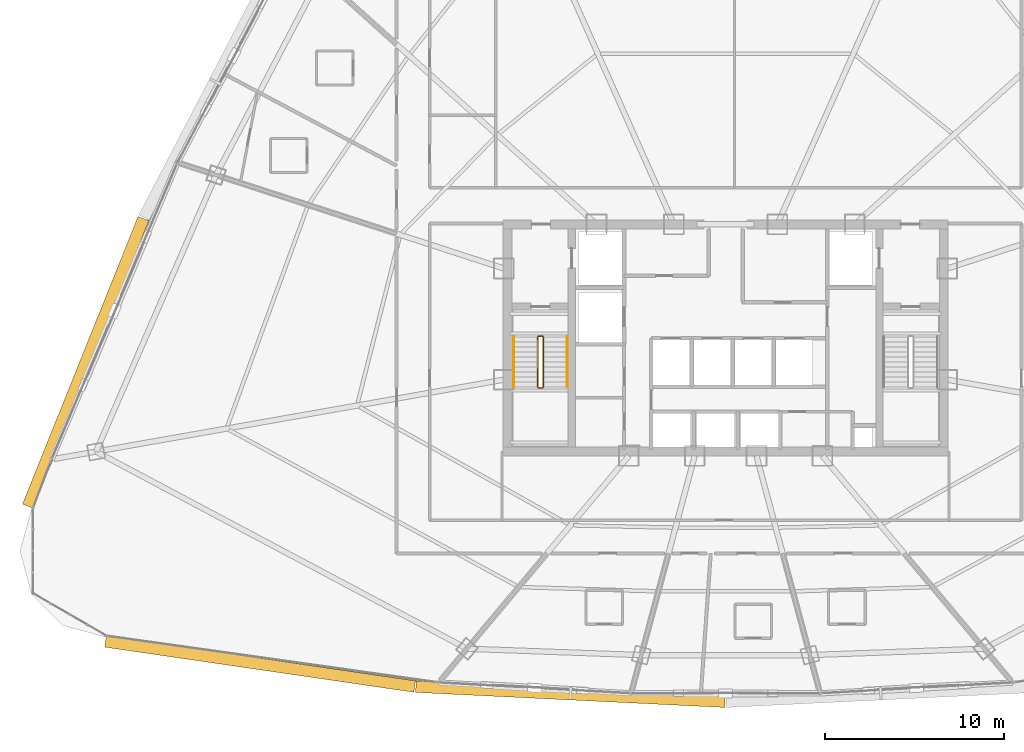
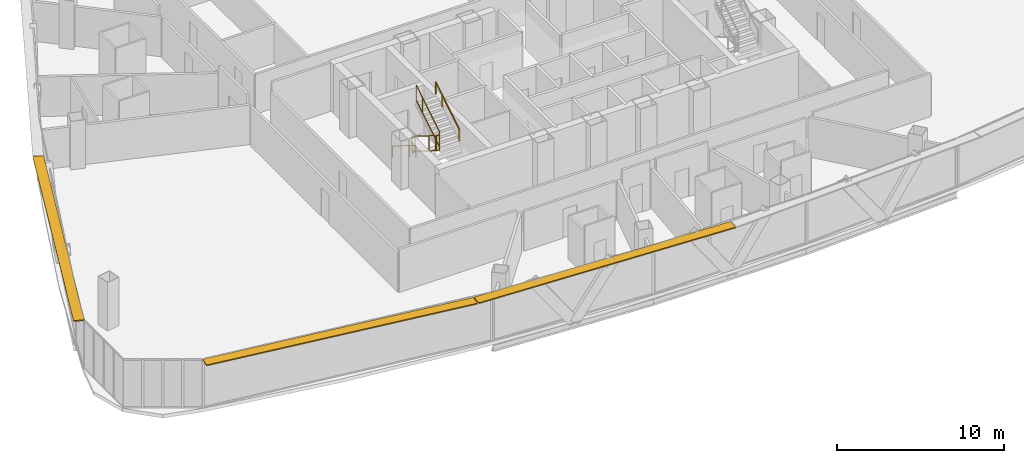
# One storey, part 37 of 40: 6 railings, 3 shading devices.
"""IFC4 building model written with IfcOpenShell, lengths in metres."""

from ifc_helpers import new_model, si_unit, direction, frame, origin, origin_2d, place, context, subcontext, project, spatial, rectangle, extrude, source, transform, mapped, material, layer, layer_set, type_object, element, save


model = new_model("IFC4")

# Units and contexts
model_context = context("Model", 3, precision=1e-05, world=origin(), true_north=direction((0.0, 1.0)))
body_context = subcontext(model_context, "Body", "Model", "MODEL_VIEW")
ifc_project = project(units=[si_unit("LENGTHUNIT", "METRE"), si_unit("AREAUNIT", "SQUARE_METRE"), si_unit("VOLUMEUNIT", "CUBIC_METRE"), si_unit("PLANEANGLEUNIT", "RADIAN"), si_unit("MASSUNIT", "GRAM", prefix="KILO"), si_unit("THERMODYNAMICTEMPERATUREUNIT", "KELVIN"), si_unit("POWERUNIT", "WATT")], contexts=[model_context])

# Site, building, storey
site_placement = place(None, origin())
site = spatial("IfcSite", under=ifc_project, at=site_placement, CompositionType="ELEMENT")
building_placement = place(site_placement, origin())
building = spatial("IfcBuilding", under=site, at=building_placement, Name="Yunzhuo Pagoda Commons", CompositionType="ELEMENT")
storey_placement = place(building_placement, frame((0.0, 0.0, 184.760009765625)))
storey = spatial("IfcBuildingStorey", under=building, at=storey_placement, Name="L46", CompositionType="ELEMENT", Elevation=184.760009765625)

# Railings
ifc_material = material(Name="Anodized aluminium 6063-T6", Category="aluminium")
railing_type_1 = type_object("IfcRailingType", Name="GR-ST1 Stair Well Guardrail 1150", PredefinedType="GUARDRAIL", material=ifc_material)
railing_1_placement = place(storey_placement, frame((37.5, 33.89990234375, 0.172607421875)))
element("IfcRailing", 1, at=railing_1_placement, inside=storey, type_object=railing_type_1, Name="L46 ST1 stair guard 1", PredefinedType="GUARDRAIL", context=body_context, shape_type="SweptSolid", body=[
    extrude(rectangle(XDim=0.048095703125, YDim=0.048095703125, at=origin_2d()), frame((0.0, 0.0, 1.1259765625), z_axis=(0.0, -0.851069175582, 0.525053576669), x_axis=(1.0, 0.0, 0.0)), (0.0, 0.0, 1.0), 3.289794921875),
    extrude(rectangle(XDim=0.048095703125, YDim=0.048095703125, at=origin_2d()), frame((0.0, 0.0, 0.02392578125), z_axis=(0.0, -0.851069175582, 0.525053576669), x_axis=(1.0, 0.0, 0.0)), (0.0, 0.0, 1.0), 3.289794921875),
    extrude(rectangle(XDim=0.0419921875, YDim=0.0419921875, at=origin_2d()), origin(), (0.0, 0.0, 1.0), 1.101806640625),
    extrude(rectangle(XDim=0.0419921875, YDim=0.0419921875, at=origin_2d()), frame((0.0, -2.04248046875, 1.260009765625)), (0.0, 0.0, 1.0), 1.101806640625),
    extrude(rectangle(XDim=0.0419921875, YDim=0.0419921875, at=origin_2d()), frame((0.0, -2.7998046875, 1.727294921875)), (0.0, 0.0, 1.0), 1.101806640625),
])
railing_2_placement = place(storey_placement, frame((37.550048828125, 31.050048828125, 1.89990234375)))
element("IfcRailing", 2, at=railing_2_placement, inside=storey, type_object=railing_type_1, Name="L46 ST1 stair guard 2", PredefinedType="GUARDRAIL", context=body_context, shape_type="SweptSolid", body=[
    extrude(rectangle(XDim=0.048095703125, YDim=0.048095703125, at=origin_2d()), frame((0.0, 0.0, 1.1259765625), z_axis=(1.0, 0.0, 0.0), x_axis=(0.0, 1.0, 0.0)), (0.0, 0.0, 1.0), 0.199951171875),
    extrude(rectangle(XDim=0.048095703125, YDim=0.048095703125, at=origin_2d()), frame((0.0, 0.0, 0.02392578125), z_axis=(1.0, 0.0, 0.0), x_axis=(0.0, 1.0, 0.0)), (0.0, 0.0, 1.0), 0.199951171875),
    extrude(rectangle(XDim=0.0419921875, YDim=0.0419921875, at=origin_2d()), origin(), (0.0, 0.0, 1.0), 1.101806640625),
    extrude(rectangle(XDim=0.0419921875, YDim=0.0419921875, at=origin_2d()), frame((0.199951171875, 0.0, 0.0)), (0.0, 0.0, 1.0), 1.101806640625),
])
railing_3_placement = place(storey_placement, frame((37.800048828125, 31.10009765625, 2.07275390625)))
element("IfcRailing", 3, at=railing_3_placement, inside=storey, type_object=railing_type_1, Name="L46 ST1 stair guard 3", PredefinedType="GUARDRAIL", context=body_context, shape_type="SweptSolid", body=[
    extrude(rectangle(XDim=0.048095703125, YDim=0.048095703125, at=origin_2d()), frame((0.0, 0.0, 1.1259765625), z_axis=(0.0, 0.851069175582, 0.525053576669), x_axis=(-1.0, 0.0, 0.0)), (0.0, 0.0, 1.0), 3.289794921875),
    extrude(rectangle(XDim=0.048095703125, YDim=0.048095703125, at=origin_2d()), frame((0.0, 0.0, 0.02392578125), z_axis=(0.0, 0.851069175582, 0.525053576669), x_axis=(-1.0, 0.0, 0.0)), (0.0, 0.0, 1.0), 3.289794921875),
    extrude(rectangle(XDim=0.0419921875, YDim=0.0419921875, at=origin_2d()), origin(), (0.0, 0.0, 1.0), 1.101806640625),
    extrude(rectangle(XDim=0.0419921875, YDim=0.0419921875, at=origin_2d()), frame((0.0, 2.04248046875, 1.260009765625)), (0.0, 0.0, 1.0), 1.101806640625),
    extrude(rectangle(XDim=0.0419921875, YDim=0.0419921875, at=origin_2d()), frame((0.0, 2.7998046875, 1.727294921875)), (0.0, 0.0, 1.0), 1.101806640625),
])
railing_4_placement = place(storey_placement, frame((37.550048828125, 33.949951171875, 0.0)))
element("IfcRailing", 4, at=railing_4_placement, inside=storey, type_object=railing_type_1, Name="L46 ST1 stair guard 4", PredefinedType="GUARDRAIL", context=body_context, shape_type="SweptSolid", body=[
    extrude(rectangle(XDim=0.048095703125, YDim=0.048095703125, at=origin_2d()), frame((0.0, 0.0, 1.1259765625), z_axis=(1.0, 0.0, 0.0), x_axis=(0.0, 1.0, 0.0)), (0.0, 0.0, 1.0), 0.199951171875),
    extrude(rectangle(XDim=0.048095703125, YDim=0.048095703125, at=origin_2d()), frame((0.0, 0.0, 0.02392578125), z_axis=(1.0, 0.0, 0.0), x_axis=(0.0, 1.0, 0.0)), (0.0, 0.0, 1.0), 0.199951171875),
    extrude(rectangle(XDim=0.0419921875, YDim=0.0419921875, at=origin_2d()), origin(), (0.0, 0.0, 1.0), 1.101806640625),
    extrude(rectangle(XDim=0.0419921875, YDim=0.0419921875, at=origin_2d()), frame((0.199951171875, 0.0, 0.0)), (0.0, 0.0, 1.0), 1.101806640625),
])
railing_type_2 = type_object("IfcRailingType", Name="HR-ST1 Stair Handrail 900", PredefinedType="HANDRAIL", material=ifc_material)
railing_5_placement = place(storey_placement, frame((36.14990234375, 33.89990234375, 0.172607421875)))
element("IfcRailing", 5, at=railing_5_placement, inside=storey, type_object=railing_type_2, Name="L46 ST1 stair handrail 1", PredefinedType="HANDRAIL", context=body_context, shape_type="SweptSolid", body=[
    extrude(rectangle(XDim=0.048095703125, YDim=0.048095703125, at=origin_2d()), frame((0.0, 0.0, 0.8759765625), z_axis=(0.0, -0.851069175582, 0.525053576669), x_axis=(1.0, 0.0, 0.0)), (0.0, 0.0, 1.0), 3.289794921875),
    extrude(rectangle(XDim=0.0419921875, YDim=0.0419921875, at=origin_2d()), origin(), (0.0, 0.0, 1.0), 0.851806640625),
    extrude(rectangle(XDim=0.0419921875, YDim=0.0419921875, at=origin_2d()), frame((0.0, -2.04248046875, 1.260009765625)), (0.0, 0.0, 1.0), 0.851806640625),
    extrude(rectangle(XDim=0.0419921875, YDim=0.0419921875, at=origin_2d()), frame((0.0, -2.7998046875, 1.727294921875)), (0.0, 0.0, 1.0), 0.851806640625),
])
railing_6_placement = place(storey_placement, frame((39.14990234375, 31.10009765625, 2.07275390625)))
element("IfcRailing", 6, at=railing_6_placement, inside=storey, type_object=railing_type_2, Name="L46 ST1 stair handrail 2", PredefinedType="HANDRAIL", context=body_context, shape_type="SweptSolid", body=[
    extrude(rectangle(XDim=0.048095703125, YDim=0.048095703125, at=origin_2d()), frame((0.0, 0.0, 0.8759765625), z_axis=(0.0, 0.851069175582, 0.525053576669), x_axis=(-1.0, 0.0, 0.0)), (0.0, 0.0, 1.0), 3.289794921875),
    extrude(rectangle(XDim=0.0419921875, YDim=0.0419921875, at=origin_2d()), origin(), (0.0, 0.0, 1.0), 0.851806640625),
    extrude(rectangle(XDim=0.0419921875, YDim=0.0419921875, at=origin_2d()), frame((0.0, 2.04248046875, 1.260009765625)), (0.0, 0.0, 1.0), 0.851806640625),
    extrude(rectangle(XDim=0.0419921875, YDim=0.0419921875, at=origin_2d()), frame((0.0, 2.7998046875, 1.727294921875)), (0.0, 0.0, 1.0), 0.851806640625),
])

# Shading devices
ifc_layer = layer(ifc_material, 0.080078125)
ifc_layer_set = layer_set([ifc_layer], Name="Anodized aluminium 6063-T6")
shading_device_type = type_object("IfcShadingDeviceType", Name="SH-SUN1 Pagoda Horizontal Sunshade Eave 650", PredefinedType="USERDEFINED", material=ifc_layer_set)
shared_shape_1 = source(origin(), body_context, "Body", "SweptSolid", [
    extrude(rectangle(XDim=17.475830078125, YDim=0.64990234375, at=origin_2d()), origin(), (0.0, 0.0, 1.0), 0.080078125),
])
shading_device_1_placement = place(storey_placement, frame((21.967041015625, 15.615478515625, 3.4599609375), z_axis=(0.0, 0.0, 1.0), x_axis=(0.989510666697, -0.144459823108, 0.0)))
element("IfcShadingDevice", 7, at=shading_device_1_placement, inside=storey, type_object=shading_device_type, Name="L46 horizontal pagoda sunshade eave F1.1", ObjectType="SUNSHADE", PredefinedType="USERDEFINED", context=body_context, shape_type="MappedRepresentation", body=[
    mapped(shared_shape_1, transform((0.0, 0.0, 0.0), scale=1.0)),
])
shared_shape_2 = source(origin(), body_context, "Body", "SweptSolid", [
    extrude(rectangle(XDim=17.312744140625, YDim=0.64990234375, at=origin_2d()), origin(), (0.0, 0.0, 1.0), 0.080078125),
])
shading_device_2_placement = place(storey_placement, frame((39.322265625, 13.926513671875, 3.4599609375), z_axis=(0.0, 0.0, 1.0), x_axis=(0.998818043775, -0.04860571396, 0.0)))
element("IfcShadingDevice", 8, at=shading_device_2_placement, inside=storey, type_object=shading_device_type, Name="L46 horizontal pagoda sunshade eave F1.2", ObjectType="SUNSHADE", PredefinedType="USERDEFINED", context=body_context, shape_type="MappedRepresentation", body=[
    mapped(shared_shape_2, transform((0.0, 0.0, 0.0), scale=1.0)),
])
shared_shape_3 = source(origin(), body_context, "Body", "SweptSolid", [
    extrude(rectangle(XDim=17.335205078125, YDim=0.64990234375, at=origin_2d()), origin(), (0.0, 0.0, 1.0), 0.080078125),
])
shading_device_3_placement = place(storey_placement, frame((12.213134765625, 32.4794921875, 3.4599609375), z_axis=(0.0, 0.0, 1.0), x_axis=(-0.372987782576, -0.927836253899, 0.0)))
element("IfcShadingDevice", 9, at=shading_device_3_placement, inside=storey, type_object=shading_device_type, Name="L46 horizontal pagoda sunshade eave F3.4", ObjectType="SUNSHADE", PredefinedType="USERDEFINED", context=body_context, shape_type="MappedRepresentation", body=[
    mapped(shared_shape_3, transform((0.0, 0.0, 0.0), scale=1.0)),
])

save(model, "model.ifc")
